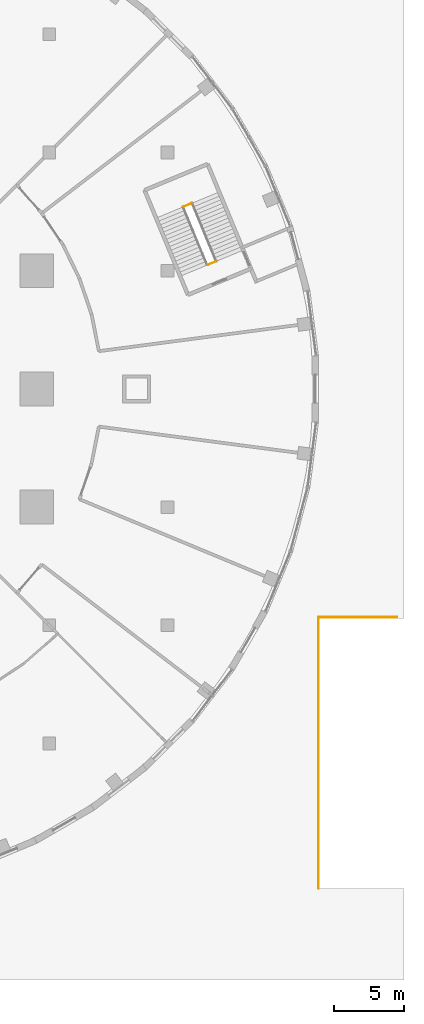
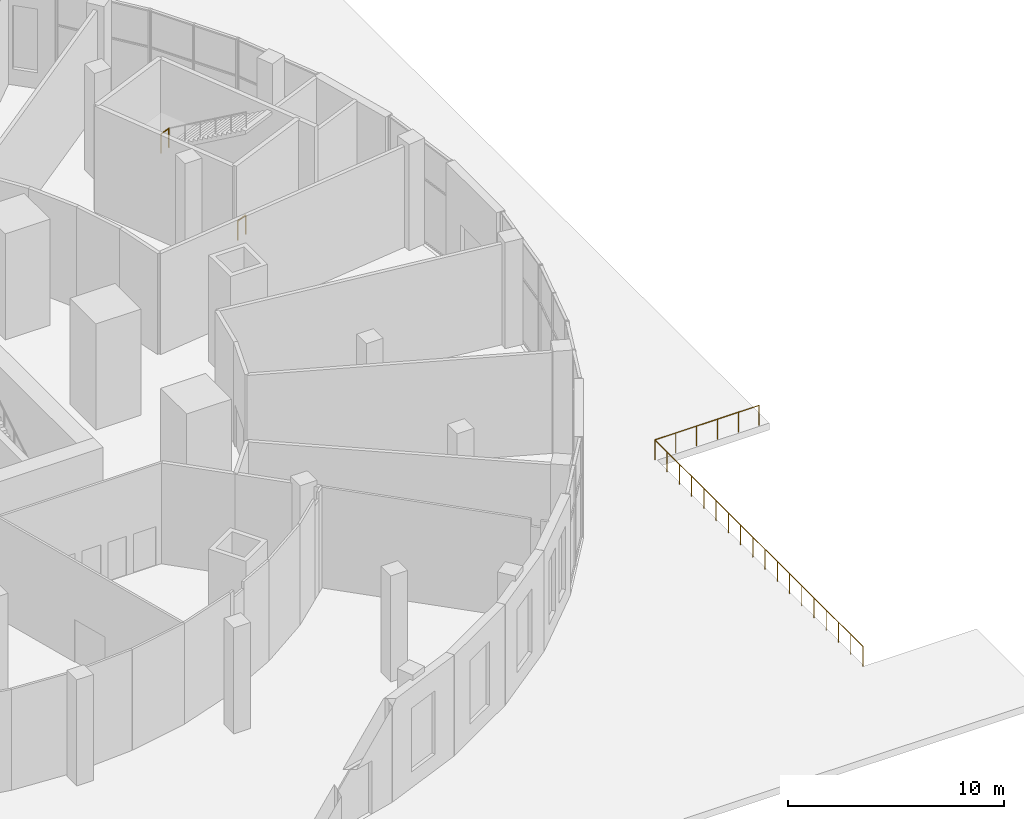
# One storey, part 18 of 19: 3 railings.
"""IFC4 building model written with IfcOpenShell, lengths in metres."""

from ifc_helpers import new_model, si_unit, direction, frame, origin, origin_2d, place, context, subcontext, project, spatial, circle, extrude, material, type_object, element, save


model = new_model("IFC4")

# Units and contexts
model_context = context("Model", 3, precision=1e-05, world=origin(), true_north=direction((0.0, 1.0)))
body_context = subcontext(model_context, "Body", "Model", "MODEL_VIEW")
ifc_project = project(units=[si_unit("LENGTHUNIT", "METRE"), si_unit("AREAUNIT", "SQUARE_METRE"), si_unit("VOLUMEUNIT", "CUBIC_METRE"), si_unit("PLANEANGLEUNIT", "RADIAN"), si_unit("MASSUNIT", "GRAM", prefix="KILO")], contexts=[model_context])

# Site, building, storey
site_placement = place(None, origin())
site = spatial("IfcSite", under=ifc_project, at=site_placement, CompositionType="ELEMENT")
building_placement = place(site_placement, origin())
building = spatial("IfcBuilding", under=site, at=building_placement, Name="Golbaran Civic Tower", CompositionType="ELEMENT")
storey_placement = place(building_placement, origin())
storey = spatial("IfcBuildingStorey", under=building, at=storey_placement, Name="L00", CompositionType="ELEMENT", Elevation=0.0)

# Railings
ifc_material_1 = material(Name="Galvanised steel guard and kerb", Category="steel")
railing_type_1 = type_object("IfcRailingType", Name="RAMP GUARD 1150", PredefinedType="GUARDRAIL", material=ifc_material_1)
railing_1_placement = place(storey_placement, frame((35.925048828125, -35.5, 0.0)))
element("IfcRailing", 1, at=railing_1_placement, inside=storey, type_object=railing_type_1, Name="Ramp opening guard L00", PredefinedType="GUARDRAIL", context=body_context, shape_type="SweptSolid", body=[
    extrude(circle(Radius=0.02392578125, at=origin_2d()), frame((0.0, 0.0, 1.1259765625), z_axis=(0.0, 1.0, 0.0), x_axis=(-1.0, 0.0, 0.0)), (0.0, 0.0, 1.0), 19.27490234375),
    extrude(circle(Radius=0.02392578125, at=origin_2d()), frame((0.0, 19.27490234375, 1.1259765625), z_axis=(1.0, 0.0, 0.0), x_axis=(0.0, 1.0, 0.0)), (0.0, 0.0, 1.0), 5.574951171875),
    extrude(circle(Radius=0.02099609375, at=origin_2d()), origin(), (0.0, 0.0, 1.0), 1.101806640625),
    extrude(circle(Radius=0.02099609375, at=origin_2d()), frame((0.0, 1.1337890625, 0.0)), (0.0, 0.0, 1.0), 1.101806640625),
    extrude(circle(Radius=0.02099609375, at=origin_2d()), frame((0.0, 2.267578125, 0.0)), (0.0, 0.0, 1.0), 1.101806640625),
    extrude(circle(Radius=0.02099609375, at=origin_2d()), frame((0.0, 3.4013671875, 0.0)), (0.0, 0.0, 1.0), 1.101806640625),
    extrude(circle(Radius=0.02099609375, at=origin_2d()), frame((0.0, 4.53515625, 0.0)), (0.0, 0.0, 1.0), 1.101806640625),
    extrude(circle(Radius=0.02099609375, at=origin_2d()), frame((0.0, 5.669189453125, 0.0)), (0.0, 0.0, 1.0), 1.101806640625),
    extrude(circle(Radius=0.02099609375, at=origin_2d()), frame((0.0, 6.802978515625, 0.0)), (0.0, 0.0, 1.0), 1.101806640625),
    extrude(circle(Radius=0.02099609375, at=origin_2d()), frame((0.0, 7.936767578125, 0.0)), (0.0, 0.0, 1.0), 1.101806640625),
    extrude(circle(Radius=0.02099609375, at=origin_2d()), frame((0.0, 9.070556640625, 0.0)), (0.0, 0.0, 1.0), 1.101806640625),
    extrude(circle(Radius=0.02099609375, at=origin_2d()), frame((0.0, 10.204345703125, 0.0)), (0.0, 0.0, 1.0), 1.101806640625),
    extrude(circle(Radius=0.02099609375, at=origin_2d()), frame((0.0, 11.338134765625, 0.0)), (0.0, 0.0, 1.0), 1.101806640625),
    extrude(circle(Radius=0.02099609375, at=origin_2d()), frame((0.0, 12.471923828125, 0.0)), (0.0, 0.0, 1.0), 1.101806640625),
    extrude(circle(Radius=0.02099609375, at=origin_2d()), frame((0.0, 13.605712890625, 0.0)), (0.0, 0.0, 1.0), 1.101806640625),
    extrude(circle(Radius=0.02099609375, at=origin_2d()), frame((0.0, 14.73974609375, 0.0)), (0.0, 0.0, 1.0), 1.101806640625),
    extrude(circle(Radius=0.02099609375, at=origin_2d()), frame((0.0, 15.87353515625, 0.0)), (0.0, 0.0, 1.0), 1.101806640625),
    extrude(circle(Radius=0.02099609375, at=origin_2d()), frame((0.0, 17.00732421875, 0.0)), (0.0, 0.0, 1.0), 1.101806640625),
    extrude(circle(Radius=0.02099609375, at=origin_2d()), frame((0.0, 18.14111328125, 0.0)), (0.0, 0.0, 1.0), 1.101806640625),
    extrude(circle(Radius=0.02099609375, at=origin_2d()), frame((0.0, 19.27490234375, 0.0)), (0.0, 0.0, 1.0), 1.101806640625),
    extrude(circle(Radius=0.02099609375, at=origin_2d()), frame((1.114990234375, 19.27490234375, 0.0)), (0.0, 0.0, 1.0), 1.101806640625),
    extrude(circle(Radius=0.02099609375, at=origin_2d()), frame((2.22998046875, 19.27490234375, 0.0)), (0.0, 0.0, 1.0), 1.101806640625),
    extrude(circle(Radius=0.02099609375, at=origin_2d()), frame((3.344970703125, 19.27490234375, 0.0)), (0.0, 0.0, 1.0), 1.101806640625),
    extrude(circle(Radius=0.02099609375, at=origin_2d()), frame((4.4599609375, 19.27490234375, 0.0)), (0.0, 0.0, 1.0), 1.101806640625),
    extrude(circle(Radius=0.02099609375, at=origin_2d()), frame((5.574951171875, 19.27490234375, 0.0)), (0.0, 0.0, 1.0), 1.101806640625),
])
ifc_material_2 = material(Name="Steel balustrade", Category="steel")
railing_type_2 = type_object("IfcRailingType", Name="STAIR GUARD 1100", PredefinedType="GUARDRAIL", material=ifc_material_2)
railing_2_placement = place(storey_placement, frame((28.064697265625, 8.810546875, 0.0)))
element("IfcRailing", 2, at=railing_2_placement, inside=storey, type_object=railing_type_2, Name="Stair P1 well guard floor landing L00", PredefinedType="GUARDRAIL", context=body_context, shape_type="SweptSolid", body=[
    extrude(circle(Radius=0.02392578125, at=origin_2d()), frame((0.0, 0.0, 1.076171875), z_axis=(0.923917630863, 0.382591441855, 0.0), x_axis=(-0.382591441855, 0.923917630863, 0.0)), (0.0, 0.0, 1.0), 0.599853515625),
    extrude(circle(Radius=0.02099609375, at=origin_2d()), origin(), (0.0, 0.0, 1.0), 1.052001953125),
    extrude(circle(Radius=0.02099609375, at=origin_2d()), frame((0.55419921875, 0.2294921875, 0.0)), (0.0, 0.0, 1.0), 1.052001953125),
])
railing_3_placement = place(storey_placement, frame((26.350341796875, 12.949462890625, 3.0)))
element("IfcRailing", 3, at=railing_3_placement, inside=storey, type_object=railing_type_2, Name="Stair P1 well guard half landing L00", PredefinedType="GUARDRAIL", context=body_context, shape_type="SweptSolid", body=[
    extrude(circle(Radius=0.02392578125, at=origin_2d()), frame((0.0, 0.0, 1.076171875), z_axis=(0.923773716093, 0.382938795966, 0.0), x_axis=(-0.382938795966, 0.923773716093, 0.0)), (0.0, 0.0, 1.0), 0.599853515625),
    extrude(circle(Radius=0.02099609375, at=origin_2d()), origin(), (0.0, 0.0, 1.0), 1.052001953125),
    extrude(circle(Radius=0.02099609375, at=origin_2d()), frame((0.55419921875, 0.229736328125, 0.0)), (0.0, 0.0, 1.0), 1.052001953125),
])

save(model, "model.ifc")
